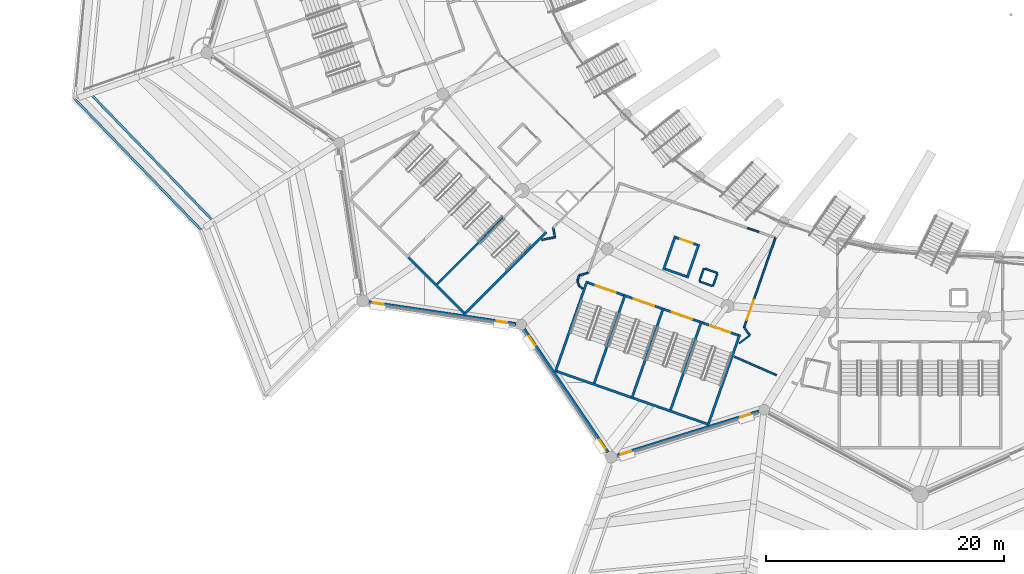
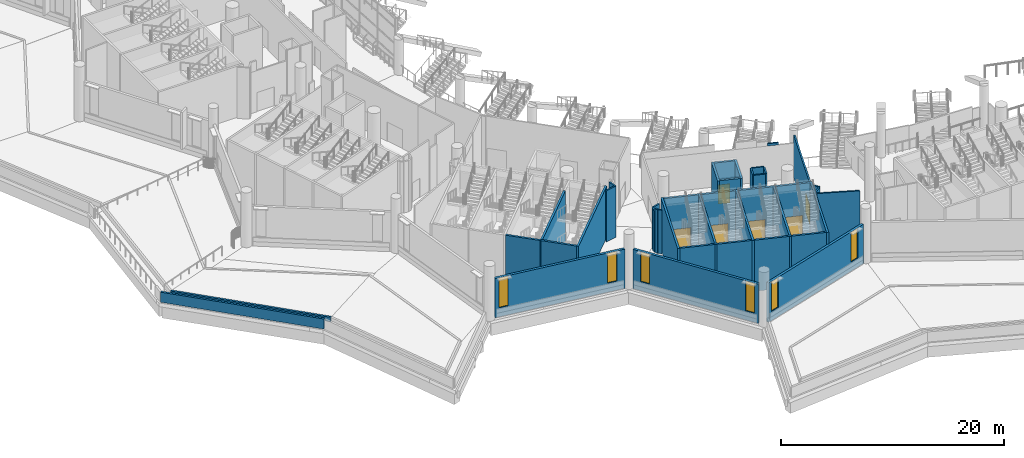
# One storey, part 41 of 173: 39 walls, 6 doors, 6 windows, 12 openings.
"""IFC4 building model written with IfcOpenShell, lengths in metres."""

from ifc_helpers import new_model, si_unit, direction, frame, frame_2d, origin, place, context, subcontext, project, spatial, rectangle, extrude, material, layer, layer_set, type_object, element, fill, save


model = new_model("IFC4")

# Units and contexts
model_context = context("Model", 3, precision=1e-05, world=origin(), true_north=direction((0.0, 1.0)))
body_context = subcontext(model_context, "Body", "Model", "MODEL_VIEW")
ifc_project = project(units=[si_unit("LENGTHUNIT", "METRE"), si_unit("AREAUNIT", "SQUARE_METRE"), si_unit("VOLUMEUNIT", "CUBIC_METRE"), si_unit("PLANEANGLEUNIT", "RADIAN"), si_unit("MASSUNIT", "GRAM", prefix="KILO")], contexts=[model_context])

# Site, building, storey
site_placement = place(None, origin())
site = spatial("IfcSite", under=ifc_project, at=site_placement, CompositionType="ELEMENT")
building_placement = place(site_placement, origin())
building = spatial("IfcBuilding", under=site, at=building_placement, Name="Meseta Stadium", CompositionType="ELEMENT")
storey_placement = place(building_placement, frame((0.0, 0.0, 18.0)))
storey = spatial("IfcBuildingStorey", under=building, at=storey_placement, Name="L03", CompositionType="ELEMENT", Elevation=18.0)

# Walls
ifc_material_1 = material(Name="Concrete C40/50", Category="concrete")
ifc_layer_1 = layer(ifc_material_1, 0.199951171875)
ifc_layer_set_1 = layer_set([ifc_layer_1], Name="Core divider wall 200")
wall_type_1 = type_object("IfcWallType", Name="Core divider wall 200", PredefinedType="SHEAR", material=ifc_layer_set_1)
wall_1_placement = place(storey_placement, frame((-79.092529296875, -87.90087890625, 0.0), z_axis=(0.0, 0.0, 1.0), x_axis=(0.707106781187, 0.707106781187, 0.0)))
element("IfcWall", 1, at=wall_1_placement, inside=storey, type_object=wall_type_1, Name="Core 21 L03 stair B divider wall", PredefinedType="SHEAR", context=body_context, shape_type="SweptSolid", body=[
    extrude(rectangle(XDim=8.099853515625, YDim=0.199951171875, at=frame_2d((4.0498046875, 0.0))), origin(), (0.0, 0.0, 1.0), 5.60009765625),
])
for number, where, z_axis, x_axis, name in (
    (2, (-65.789306640625, -96.260009765625, 0.0), (0.0, 0.0, 1.0), (0.330280610426, 0.943882788474, 0.0), "Core 22 L03 stair A divider wall"),
    (3, (-59.370849609375, -98.505859375, 0.0), (0.0, 0.0, 1.0), (0.330280610426, 0.943882788474, 0.0), "Core 22 L03 stair B divider wall"),
):
    element("IfcWall", number, at=place(storey_placement, frame(where, z_axis=z_axis, x_axis=x_axis)), inside=storey, type_object=wall_type_1, Name=name, PredefinedType="SHEAR", context=body_context, shape_type="SweptSolid", body=[
        extrude(rectangle(XDim=8.10009765625, YDim=0.199951171875, at=frame_2d((4.050048828125, 0.0))), origin(), (0.0, 0.0, 1.0), 5.60009765625),
    ])
ifc_material_2 = material(Name="Concrete C40/50", Category="concrete")
ifc_layer_2 = layer(ifc_material_2, 0.199951171875)
ifc_layer_set_2 = layer_set([ifc_layer_2], Name="Core shaft wall 200")
wall_type_2 = type_object("IfcWallType", Name="Core shaft wall 200", PredefinedType="SHEAR", material=ifc_layer_set_2)
wall_2_placement = place(storey_placement, frame((-76.6884765625, -90.30517578125, 0.0), z_axis=(0.0, 0.0, 1.0), x_axis=(0.707106781187, 0.707106781187, 0.0)))
element("IfcWall", 4, at=wall_2_placement, inside=storey, type_object=wall_type_2, Name="Core 21 L03 stair wall B-side", PredefinedType="SHEAR", context=body_context, shape_type="SweptSolid", body=[
    extrude(rectangle(XDim=9.800048828125, YDim=0.199951171875, at=frame_2d((4.89990234375, 0.0))), origin(), (0.0, 0.0, 1.0), 5.60009765625),
])
wall_3_placement = place(storey_placement, frame((-81.355224609375, -85.496826171875, 0.0), z_axis=(0.0, 0.0, 1.0), x_axis=(0.707088285305, -0.707125276584, 0.0)))
element("IfcWall", 5, at=wall_3_placement, inside=storey, type_object=wall_type_2, Name="Core 21 L03 stair B outer end wall", PredefinedType="SHEAR", context=body_context, shape_type="SweptSolid", body=[
    extrude(rectangle(XDim=6.599853515625, YDim=0.199951171875, at=frame_2d((3.2998046875, 0.0))), origin(), (0.0, 0.0, 1.0), 5.60009765625),
])
for number, where, z_axis, x_axis, name in (
    (6, (-68.998291015625, -95.136962890625, 0.0), (0.0, 0.0, 1.0), (0.330263153216, 0.943888896866, 0.0), "Core 22 L03 stair wall A-side"),
    (7, (-62.580078125, -97.3828125, 0.0), (0.0, 0.0, 1.0), (0.330290006891, 0.943879500438, 0.0), "Core 22 L03 stair wall shared"),
):
    element("IfcWall", number, at=place(storey_placement, frame(where, z_axis=z_axis, x_axis=x_axis)), inside=storey, type_object=wall_type_2, Name=name, PredefinedType="SHEAR", context=body_context, shape_type="SweptSolid", body=[
        extrude(rectangle(XDim=8.099853515625, YDim=0.199951171875, at=frame_2d((4.0498046875, 0.0))), origin(), (0.0, 0.0, 1.0), 5.60009765625),
    ])
wall_4_placement = place(storey_placement, frame((-56.16162109375, -99.62890625, 0.0), z_axis=(0.0, 0.0, 1.0), x_axis=(0.330280610426, 0.943882788474, 0.0)))
element("IfcWall", 8, at=wall_4_placement, inside=storey, type_object=wall_type_2, Name="Core 22 L03 stair wall B-side", PredefinedType="SHEAR", context=body_context, shape_type="SweptSolid", body=[
    extrude(rectangle(XDim=8.10009765625, YDim=0.199951171875, at=frame_2d((4.050048828125, 0.0))), origin(), (0.0, 0.0, 1.0), 5.60009765625),
])
for number, where, z_axis, x_axis, name in (
    (9, (-68.87109375, -95.07568359375, 0.0), (0.0, 0.0, 1.0), (0.943880844925, -0.330286164688, 0.0), "Core 22 L03 stair A outer end wall"),
    (10, (-62.45263671875, -97.321533203125, 0.0), (0.0, 0.0, 1.0), (0.943880844925, -0.330286164688, 0.0), "Core 22 L03 stair B outer end wall"),
):
    element("IfcWall", number, at=place(storey_placement, frame(where, z_axis=z_axis, x_axis=x_axis)), inside=storey, type_object=wall_type_2, Name=name, PredefinedType="SHEAR", context=body_context, shape_type="SweptSolid", body=[
        extrude(rectangle(XDim=6.60009765625, YDim=0.199951171875, at=frame_2d((3.300048828125, 0.0))), origin(), (0.0, 0.0, 1.0), 5.60009765625),
    ])

# Wall, opening, door
wall_5_placement = place(storey_placement, frame((-66.26171875, -87.618896484375, 0.0), z_axis=(0.0, 0.0, 1.0), x_axis=(0.943878576031, -0.330292648585, 0.0)))
wall_5 = element("IfcWall", 11, at=wall_5_placement, inside=storey, type_object=wall_type_2, Name="Core 22 L03 stair A1 inner end wall", PredefinedType="SHEAR", context=body_context, shape_type="SweptSolid", body=[
    extrude(rectangle(XDim=3.199951171875, YDim=0.199951171875, at=frame_2d((1.60009765625, 0.0))), origin(), (0.0, 0.0, 1.0), 5.60009765625),
])
opening_1_placement = place(wall_5_placement, frame((0.699951171875, 0.0, 0.0)))
opening_1 = element("IfcOpeningElement", 12, at=opening_1_placement, cuts=wall_5, Name="Opening D1351", PredefinedType="OPENING", context=body_context, shape_type="SweptSolid", body=[
    extrude(rectangle(XDim=1.800048828125, YDim=2.10009765625, at=frame_2d((0.89990234375, 1.050048828125))), frame((0.0, 0.10986328125, 0.0), z_axis=(0.0, -1.0, 0.0), x_axis=(1.0, 0.0, 0.0)), (0.0, 0.0, 1.0), 0.219970703125),
])
ifc_material_3 = material(Name="Steel", Category="steel")
door_type_1 = type_object("IfcDoorType", Name="Stair door 1800x2100", OperationType="DOUBLE_DOOR_SINGLE_SWING", PredefinedType="DOOR", material=ifc_material_3)
door_1_placement = place(opening_1_placement, origin())
door_1 = element("IfcDoor", 13, at=door_1_placement, inside=storey, type_object=door_type_1, Name="Stair A1 door 22 L03", OperationType="DOUBLE_DOOR_SINGLE_SWING", OverallHeight=2.10009765625, OverallWidth=1.800048828125, PredefinedType="DOOR", context=body_context, shape_type="SweptSolid", body=[
    extrude(rectangle(XDim=1.800048828125, YDim=2.10009765625, at=frame_2d((0.89990234375, 1.050048828125))), frame((0.0, 0.02490234375, 0.0), z_axis=(0.0, -1.0, 0.0), x_axis=(1.0, 0.0, 0.0)), (0.0, 0.0, 1.0), 0.050048828125),
])
fill(opening_1, door_1)

wall_6_placement = place(storey_placement, frame((-63.052490234375, -88.741943359375, 0.0), z_axis=(0.0, 0.0, 1.0), x_axis=(0.943878576031, -0.330292648585, 0.0)))
wall_6 = element("IfcWall", 14, at=wall_6_placement, inside=storey, type_object=wall_type_2, Name="Core 22 L03 stair A2 inner end wall", PredefinedType="SHEAR", context=body_context, shape_type="SweptSolid", body=[
    extrude(rectangle(XDim=3.199951171875, YDim=0.199951171875, at=frame_2d((1.60009765625, 0.0))), origin(), (0.0, 0.0, 1.0), 5.60009765625),
])
opening_2_placement = place(wall_6_placement, frame((0.699951171875, 0.0, 0.0)))
opening_2 = element("IfcOpeningElement", 15, at=opening_2_placement, cuts=wall_6, Name="Opening D1354", PredefinedType="OPENING", context=body_context, shape_type="SweptSolid", body=[
    extrude(rectangle(XDim=1.800048828125, YDim=2.10009765625, at=frame_2d((0.89990234375, 1.050048828125))), frame((0.0, 0.10986328125, 0.0), z_axis=(0.0, -1.0, 0.0), x_axis=(1.0, 0.0, 0.0)), (0.0, 0.0, 1.0), 0.219970703125),
])
door_2_placement = place(opening_2_placement, origin())
door_2 = element("IfcDoor", 16, at=door_2_placement, inside=storey, type_object=door_type_1, Name="Stair A2 door 22 L03", OperationType="DOUBLE_DOOR_SINGLE_SWING", OverallHeight=2.10009765625, OverallWidth=1.800048828125, PredefinedType="DOOR", context=body_context, shape_type="SweptSolid", body=[
    extrude(rectangle(XDim=1.800048828125, YDim=2.10009765625, at=frame_2d((0.89990234375, 1.050048828125))), frame((0.0, 0.02490234375, 0.0), z_axis=(0.0, -1.0, 0.0), x_axis=(1.0, 0.0, 0.0)), (0.0, 0.0, 1.0), 0.050048828125),
])
fill(opening_2, door_2)

wall_7_placement = place(storey_placement, frame((-59.843505859375, -89.864990234375, 0.0), z_axis=(0.0, 0.0, 1.0), x_axis=(0.943886898693, -0.330268863922, 0.0)))
wall_7 = element("IfcWall", 17, at=wall_7_placement, inside=storey, type_object=wall_type_2, Name="Core 22 L03 stair B1 inner end wall", PredefinedType="SHEAR", context=body_context, shape_type="SweptSolid", body=[
    extrude(rectangle(XDim=3.2001953125, YDim=0.199951171875, at=frame_2d((1.60009765625, 0.0))), origin(), (0.0, 0.0, 1.0), 5.60009765625),
])
opening_3_placement = place(wall_7_placement, frame((0.699951171875, 0.0, 0.0)))
opening_3 = element("IfcOpeningElement", 18, at=opening_3_placement, cuts=wall_7, Name="Opening D1358", PredefinedType="OPENING", context=body_context, shape_type="SweptSolid", body=[
    extrude(rectangle(XDim=1.800048828125, YDim=2.10009765625, at=frame_2d((0.89990234375, 1.050048828125))), frame((0.0, 0.10986328125, 0.0), z_axis=(0.0, -1.0, 0.0), x_axis=(1.0, 0.0, 0.0)), (0.0, 0.0, 1.0), 0.219970703125),
])
door_3_placement = place(opening_3_placement, origin())
door_3 = element("IfcDoor", 19, at=door_3_placement, inside=storey, type_object=door_type_1, Name="Stair B1 door 22 L03", OperationType="DOUBLE_DOOR_SINGLE_SWING", OverallHeight=2.10009765625, OverallWidth=1.800048828125, PredefinedType="DOOR", context=body_context, shape_type="SweptSolid", body=[
    extrude(rectangle(XDim=1.800048828125, YDim=2.10009765625, at=frame_2d((0.89990234375, 1.050048828125))), frame((0.0, 0.02490234375, 0.0), z_axis=(0.0, -1.0, 0.0), x_axis=(1.0, 0.0, 0.0)), (0.0, 0.0, 1.0), 0.050048828125),
])
fill(opening_3, door_3)

wall_8_placement = place(storey_placement, frame((-56.63427734375, -90.98779296875, 0.0), z_axis=(0.0, 0.0, 1.0), x_axis=(0.943886898693, -0.330268863922, 0.0)))
wall_8 = element("IfcWall", 20, at=wall_8_placement, inside=storey, type_object=wall_type_2, Name="Core 22 L03 stair B2 inner end wall", PredefinedType="SHEAR", context=body_context, shape_type="SweptSolid", body=[
    extrude(rectangle(XDim=3.2001953125, YDim=0.199951171875, at=frame_2d((1.60009765625, 0.0))), origin(), (0.0, 0.0, 1.0), 5.60009765625),
])
opening_4_placement = place(wall_8_placement, frame((0.699951171875, 0.0, 0.0)))
opening_4 = element("IfcOpeningElement", 21, at=opening_4_placement, cuts=wall_8, Name="Opening D1363", PredefinedType="OPENING", context=body_context, shape_type="SweptSolid", body=[
    extrude(rectangle(XDim=1.800048828125, YDim=2.10009765625, at=frame_2d((0.89990234375, 1.050048828125))), frame((0.0, 0.10986328125, 0.0), z_axis=(0.0, -1.0, 0.0), x_axis=(1.0, 0.0, 0.0)), (0.0, 0.0, 1.0), 0.219970703125),
])
door_4_placement = place(opening_4_placement, origin())
door_4 = element("IfcDoor", 22, at=door_4_placement, inside=storey, type_object=door_type_1, Name="Stair B2 door 22 L03", OperationType="DOUBLE_DOOR_SINGLE_SWING", OverallHeight=2.10009765625, OverallWidth=1.800048828125, PredefinedType="DOOR", context=body_context, shape_type="SweptSolid", body=[
    extrude(rectangle(XDim=1.800048828125, YDim=2.10009765625, at=frame_2d((0.89990234375, 1.050048828125))), frame((0.0, 0.02490234375, 0.0), z_axis=(0.0, -1.0, 0.0), x_axis=(1.0, 0.0, 0.0)), (0.0, 0.0, 1.0), 0.050048828125),
])
fill(opening_4, door_4)

# Walls
for number, where, z_axis, x_axis, name in (
    (23, (-59.896240234375, -86.53369140625, 0.0), (0.0, 0.0, 1.0), (0.330328674497, 0.943865968666, 0.0), "Core 22 L03 lift shaft wall left"),
    (24, (-57.9140625, -87.227294921875, 0.0), (0.0, 0.0, 1.0), (0.330328674497, 0.943865968666, 0.0), "Core 22 L03 lift shaft wall right"),
):
    element("IfcWall", number, at=place(storey_placement, frame(where, z_axis=z_axis, x_axis=x_axis)), inside=storey, type_object=wall_type_2, Name=name, PredefinedType="SHEAR", context=body_context, shape_type="SweptSolid", body=[
        extrude(rectangle(XDim=3.0, YDim=0.199951171875, at=frame_2d((1.5, 0.0))), origin(), (0.0, 0.0, 1.0), 4.60009765625),
    ])
wall_9_placement = place(storey_placement, frame((-59.768798828125, -86.472412109375, 0.0), z_axis=(0.0, 0.0, 1.0), x_axis=(0.943862362559, -0.330338978239, 0.0)))
element("IfcWall", 25, at=wall_9_placement, inside=storey, type_object=wall_type_2, Name="Core 22 L03 lift shaft back wall", PredefinedType="SHEAR", context=body_context, shape_type="SweptSolid", body=[
    extrude(rectangle(XDim=1.900146484375, YDim=0.199951171875, at=frame_2d((0.9501953125, 0.0))), origin(), (0.0, 0.0, 1.0), 4.60009765625),
])

# Wall, opening, door
wall_10_placement = place(storey_placement, frame((-58.843994140625, -83.82958984375, 0.0), z_axis=(0.0, 0.0, 1.0), x_axis=(0.943902418729, -0.330224505327, 0.0)))
wall_10 = element("IfcWall", 26, at=wall_10_placement, inside=storey, type_object=wall_type_2, Name="Core 22 L03 lift shaft front wall", PredefinedType="SHEAR", context=body_context, shape_type="SweptSolid", body=[
    extrude(rectangle(XDim=1.900146484375, YDim=0.199951171875, at=frame_2d((0.9501953125, 0.0))), origin(), (0.0, 0.0, 1.0), 4.60009765625),
])
opening_5_placement = place(wall_10_placement, frame((0.39990234375, 0.0, 0.0)))
opening_5 = element("IfcOpeningElement", 27, at=opening_5_placement, cuts=wall_10, Name="Opening LD124", PredefinedType="OPENING", context=body_context, shape_type="SweptSolid", body=[
    extrude(rectangle(XDim=1.10009765625, YDim=2.10009765625, at=frame_2d((0.550048828125, 1.050048828125))), frame((0.0, 0.10986328125, 0.0), z_axis=(0.0, -1.0, 0.0), x_axis=(1.0, 0.0, 0.0)), (0.0, 0.0, 1.0), 0.219970703125),
])
ifc_material_4 = material(Name="Steel", Category="steel")
door_type_2 = type_object("IfcDoorType", Name="Lift landing door 1100x2100", OperationType="SLIDING_TO_LEFT", PredefinedType="DOOR", material=ifc_material_4)
door_5_placement = place(opening_5_placement, origin())
door_5 = element("IfcDoor", 28, at=door_5_placement, inside=storey, type_object=door_type_2, Name="Lift landing door LD124", OperationType="SLIDING_TO_RIGHT", OverallHeight=2.10009765625, OverallWidth=1.10009765625, PredefinedType="DOOR", context=body_context, shape_type="SweptSolid", body=[
    extrude(rectangle(XDim=1.10009765625, YDim=2.10009765625, at=frame_2d((0.550048828125, 1.050048828125))), frame((0.0, 0.02490234375, 0.0), z_axis=(0.0, -1.0, 0.0), x_axis=(1.0, 0.0, 0.0)), (0.0, 0.0, 1.0), 0.050048828125),
])
fill(opening_5, door_5)

# Walls
ifc_material_5 = material(Name="Masonry blockwork", Category="masonry")
ifc_layer_3 = layer(ifc_material_5, 0.14990234375)
ifc_layer_set_3 = layer_set([ifc_layer_3], Name="Partition 150")
wall_type_3 = type_object("IfcWallType", Name="Partition 150", PredefinedType="PARTITIONING", material=ifc_layer_set_3)
wall_11_placement = place(storey_placement, frame((-53.927490234375, -93.849853515625, 0.0), z_axis=(0.0, 0.0, 1.0), x_axis=(0.915527241614, -0.402255975546, 0.0)))
element("IfcWall", 29, at=wall_11_placement, inside=storey, type_object=wall_type_3, Name="Partition L03 L03-cell21-1-0", PredefinedType="PARTITIONING", context=body_context, shape_type="SweptSolid", body=[
    extrude(rectangle(XDim=3.8486328125, YDim=0.14990234375, at=frame_2d((1.92431640625, 0.0))), origin(), (0.0, 0.0, 1.0), 5.60009765625),
])
wall_12_placement = place(storey_placement, frame((-70.133544921875, -84.018310546875, 0.0), z_axis=(0.0, 0.0, 1.0), x_axis=(0.982266484486, 0.187490142289, 0.0)))
element("IfcWall", 30, at=wall_12_placement, inside=storey, type_object=wall_type_3, Name="Stair vestibule wall L03 core 21", PredefinedType="PARTITIONING", context=body_context, shape_type="SweptSolid", body=[
    extrude(rectangle(XDim=1.127685546875, YDim=0.14990234375, at=frame_2d((0.56396484375, 0.0))), origin(), (0.0, 0.0, 1.0), 5.60009765625),
])
wall_13_placement = place(storey_placement, frame((-69.02587890625, -83.806884765625, 0.0), z_axis=(0.0, 0.0, 1.0), x_axis=(-0.171316329805, 0.985216075357, 0.0)))
element("IfcWall", 31, at=wall_13_placement, inside=storey, type_object=wall_type_3, Name="Stair vestibule wall L03 core 21", PredefinedType="PARTITIONING", context=body_context, shape_type="SweptSolid", body=[
    extrude(rectangle(XDim=0.829345703125, YDim=0.14990234375, at=frame_2d((0.41455078125, 0.0))), origin(), (0.0, 0.0, 1.0), 5.60009765625),
])
wall_14_placement = place(storey_placement, frame((-56.87451171875, -87.51171875, 0.0), z_axis=(0.0, 0.0, 1.0), x_axis=(0.943868506598, -0.330321422636, 0.0)))
element("IfcWall", 32, at=wall_14_placement, inside=storey, type_object=wall_type_3, Name="Pressurisation shaft wall L03 core 22", PredefinedType="PARTITIONING", context=body_context, shape_type="SweptSolid", body=[
    extrude(rectangle(XDim=1.125, YDim=0.14990234375, at=frame_2d((0.5625, 0.0))), origin(), (0.0, 0.0, 1.0), 4.774169921875),
])
wall_15_placement = place(storey_placement, frame((-55.741943359375, -87.907958984375, 0.0), z_axis=(0.0, 0.0, 1.0), x_axis=(0.330229022821, 0.94390083827, 0.0)))
element("IfcWall", 33, at=wall_15_placement, inside=storey, type_object=wall_type_3, Name="Pressurisation shaft wall L03 core 22", PredefinedType="PARTITIONING", context=body_context, shape_type="SweptSolid", body=[
    extrude(rectangle(XDim=1.074951171875, YDim=0.14990234375, at=frame_2d((0.53759765625, 0.0))), origin(), (0.0, 0.0, 1.0), 4.774169921875),
])
wall_16_placement = place(storey_placement, frame((-55.362060546875, -86.822509765625, 0.0), z_axis=(0.0, 0.0, 1.0), x_axis=(-0.94389218008, 0.330253769674, 0.0)))
element("IfcWall", 34, at=wall_16_placement, inside=storey, type_object=wall_type_3, Name="Pressurisation shaft wall L03 core 22", PredefinedType="PARTITIONING", context=body_context, shape_type="SweptSolid", body=[
    extrude(rectangle(XDim=1.125244140625, YDim=0.14990234375, at=frame_2d((0.5625, 0.0))), origin(), (0.0, 0.0, 1.0), 4.774169921875),
])
wall_17_placement = place(storey_placement, frame((-56.49462890625, -86.42626953125, 0.0), z_axis=(0.0, 0.0, 1.0), x_axis=(-0.330431350225, -0.943830028548, 0.0)))
element("IfcWall", 35, at=wall_17_placement, inside=storey, type_object=wall_type_3, Name="Pressurisation shaft wall L03 core 22", PredefinedType="PARTITIONING", context=body_context, shape_type="SweptSolid", body=[
    extrude(rectangle(XDim=1.074951171875, YDim=0.14990234375, at=frame_2d((0.53759765625, 0.0))), origin(), (0.0, 0.0, 1.0), 4.774169921875),
])
wall_18_placement = place(storey_placement, frame((-66.99853515625, -87.010009765625, 0.0), z_axis=(0.0, 0.0, 1.0), x_axis=(-0.293078832254, -0.956088279441, 0.0)))
element("IfcWall", 36, at=wall_18_placement, inside=storey, type_object=wall_type_3, Name="Stair vestibule wall L03 core 22", PredefinedType="PARTITIONING", context=body_context, shape_type="SweptSolid", body=[
    extrude(rectangle(XDim=0.374755859375, YDim=0.14990234375, at=frame_2d((0.1875, 0.0))), origin(), (0.0, 0.0, 1.0), 4.5),
])
wall_19_placement = place(storey_placement, frame((-67.1083984375, -87.368408203125, 0.0), z_axis=(0.0, 0.0, 1.0), x_axis=(0.056285305436, -0.998414725649, 0.0)))
element("IfcWall", 37, at=wall_19_placement, inside=storey, type_object=wall_type_3, Name="Stair vestibule wall L03 core 22", PredefinedType="PARTITIONING", context=body_context, shape_type="SweptSolid", body=[
    extrude(rectangle(XDim=0.281982421875, YDim=0.14990234375, at=frame_2d((0.14111328125, 0.0))), origin(), (0.0, 0.0, 1.0), 4.5),
])
wall_20_placement = place(storey_placement, frame((-67.092529296875, -87.64990234375, 0.0), z_axis=(0.0, 0.0, 1.0), x_axis=(0.43378984255, -0.901014080079, 0.0)))
element("IfcWall", 38, at=wall_20_placement, inside=storey, type_object=wall_type_3, Name="Stair vestibule wall L03 core 22", PredefinedType="PARTITIONING", context=body_context, shape_type="SweptSolid", body=[
    extrude(rectangle(XDim=0.28466796875, YDim=0.14990234375, at=frame_2d((0.142333984375, 0.0))), origin(), (0.0, 0.0, 1.0), 4.774169921875),
])
wall_21_placement = place(storey_placement, frame((-66.968994140625, -87.906494140625, 0.0), z_axis=(0.0, 0.0, 1.0), x_axis=(0.770463975756, -0.63748353866, 0.0)))
element("IfcWall", 39, at=wall_21_placement, inside=storey, type_object=wall_type_3, Name="Stair vestibule wall L03 core 22", PredefinedType="PARTITIONING", context=body_context, shape_type="SweptSolid", body=[
    extrude(rectangle(XDim=0.356201171875, YDim=0.14990234375, at=frame_2d((0.17822265625, 0.0))), origin(), (0.0, 0.0, 1.0), 4.774169921875),
])
wall_22_placement = place(storey_placement, frame((-53.544921875, -92.725341796875, 0.0), z_axis=(0.0, 0.0, 1.0), x_axis=(0.803518845317, 0.595279316977, 0.0)))
element("IfcWall", 40, at=wall_22_placement, inside=storey, type_object=wall_type_3, Name="Stair vestibule wall L03 core 22", PredefinedType="PARTITIONING", context=body_context, shape_type="SweptSolid", body=[
    extrude(rectangle(XDim=1.1279296875, YDim=0.14990234375, at=frame_2d((0.56396484375, 0.0))), origin(), (0.0, 0.0, 1.0), 4.774169921875),
])
wall_23_placement = place(storey_placement, frame((-52.638671875, -92.053955078125, 0.0), z_axis=(0.0, 0.0, 1.0), x_axis=(-0.58190622455, 0.813255891974, 0.0)))
element("IfcWall", 41, at=wall_23_placement, inside=storey, type_object=wall_type_3, Name="Stair vestibule wall L03 core 22", PredefinedType="PARTITIONING", context=body_context, shape_type="SweptSolid", body=[
    extrude(rectangle(XDim=0.829345703125, YDim=0.14990234375, at=frame_2d((0.41455078125, 0.0))), origin(), (0.0, 0.0, 1.0), 4.774169921875),
])

# Wall, opening, door
wall_24_placement = place(storey_placement, frame((-53.121337890625, -91.37939453125, 0.0), z_axis=(0.0, 0.0, 1.0), x_axis=(0.330279569596, 0.943883152677, 0.0)))
wall_24 = element("IfcWall", 42, at=wall_24_placement, inside=storey, type_object=wall_type_3, Name="Stair vestibule wall L03 core 22", PredefinedType="PARTITIONING", context=body_context, shape_type="SweptSolid", body=[
    extrude(rectangle(XDim=7.98095703125, YDim=0.14990234375, at=frame_2d((3.990478515625, 0.0))), origin(), (0.0, 0.0, 1.0), 4.699951171875),
])
opening_6_placement = place(wall_24_placement, frame((0.64990234375, 0.0, 0.0)))
opening_6 = element("IfcOpeningElement", 43, at=opening_6_placement, cuts=wall_24, Name="Opening D1364", PredefinedType="OPENING", context=body_context, shape_type="SweptSolid", body=[
    extrude(rectangle(XDim=1.800048828125, YDim=2.10009765625, at=frame_2d((0.89990234375, 1.050048828125))), frame((0.0, 0.0849609375, 0.0), z_axis=(0.0, -1.0, 0.0), x_axis=(1.0, 0.0, 0.0)), (0.0, 0.0, 1.0), 0.169921875),
])
ifc_material_6 = material(Name="Steel", Category="steel")
door_type_3 = type_object("IfcDoorType", Name="Fire double door 1800x2100 EI2 60", OperationType="DOUBLE_DOOR_SINGLE_SWING", PredefinedType="DOOR", material=ifc_material_6)
door_6_placement = place(opening_6_placement, origin())
door_6 = element("IfcDoor", 44, at=door_6_placement, inside=storey, type_object=door_type_3, Name="Stair vestibule door L03 core 22", OperationType="DOUBLE_DOOR_SINGLE_SWING", OverallHeight=2.10009765625, OverallWidth=1.800048828125, PredefinedType="DOOR", context=body_context, shape_type="SweptSolid", body=[
    extrude(rectangle(XDim=1.800048828125, YDim=2.10009765625, at=frame_2d((0.89990234375, 1.050048828125))), frame((0.0, 0.02490234375, 0.0), z_axis=(0.0, -1.0, 0.0), x_axis=(1.0, 0.0, 0.0)), (0.0, 0.0, 1.0), 0.050048828125),
])
fill(opening_6, door_6)

# Walls
wall_25_placement = place(storey_placement, frame((-51.89013671875, -83.354736328125, 3.8544921875), z_axis=(0.0, 0.0, 1.0), x_axis=(-0.943904381587, 0.330218894705, 0.0)))
element("IfcWall", 45, at=wall_25_placement, inside=storey, type_object=wall_type_3, Name="Stair vestibule wall L03 core 22", PredefinedType="PARTITIONING", context=body_context, shape_type="SweptSolid", body=[
    extrude(rectangle(XDim=0.9921875, YDim=0.14990234375, at=frame_2d((0.49609375, 0.0))), origin(), (0.0, 0.0, 1.0), 0.25244140625),
])
wall_26_placement = place(storey_placement, frame((-66.231689453125, -86.791748046875, 0.0), z_axis=(0.0, 0.0, 1.0), x_axis=(-0.962031488022, -0.27293848401, 0.0)))
element("IfcWall", 46, at=wall_26_placement, inside=storey, type_object=wall_type_3, Name="Stair vestibule wall L03 core 22", PredefinedType="PARTITIONING", context=body_context, shape_type="SweptSolid", body=[
    extrude(rectangle(XDim=0.796142578125, YDim=0.14990234375, at=frame_2d((0.39794921875, 0.0))), origin(), (0.0, 0.0, 1.0), 4.5),
])
ifc_material_7 = material(Name="Precast concrete C40/50", Category="concrete")
ifc_layer_4 = layer(ifc_material_7, 0.199951171875)
ifc_layer_set_4 = layer_set([ifc_layer_4], Name="Planter kerb 200")
wall_type_4 = type_object("IfcWallType", Name="Planter kerb 200", PredefinedType="USERDEFINED", material=ifc_layer_set_4)
wall_27_placement = place(storey_placement, frame((-97.7158203125, -82.48095703125, 0.0), z_axis=(0.0, 0.0, 1.0), x_axis=(-0.694474391977, 0.719517420837, 0.0)))
element("IfcWall", 47, at=wall_27_placement, inside=storey, type_object=wall_type_4, Name="Planter kerb 5.1.14", ObjectType="PLANTER", PredefinedType="USERDEFINED", context=body_context, shape_type="SweptSolid", body=[
    extrude(rectangle(XDim=14.945068359375, YDim=0.199951171875, at=frame_2d((7.47265625, 0.0))), origin(), (0.0, 0.0, 1.0), 0.5),
])

# Wall, openings, windows
ifc_material_8 = material(Name="White precast concrete C40/50", Category="concrete")
ifc_layer_5 = layer(ifc_material_8, 0.25)
ifc_layer_set_5 = layer_set([ifc_layer_5], Name="Pleated panel wall 250")
wall_type_5 = type_object("IfcWallType", Name="Pleated panel wall 250", PredefinedType="SOLIDWALL", material=ifc_layer_set_5)
wall_28_placement = place(storey_placement, frame((-72.30126953125, -91.084716796875, 0.0), z_axis=(0.0, 0.0, 1.0), x_axis=(-0.989159318747, 0.14684632149, 0.0)))
wall_28 = element("IfcWall", 48, at=wall_28_placement, inside=storey, type_object=wall_type_5, Name="Pleated facade panel L03 F40", PredefinedType="SOLIDWALL", context=body_context, shape_type="SweptSolid", body=[
    extrude(rectangle(XDim=12.51416015625, YDim=0.25, at=frame_2d((6.257080078125, 0.0))), origin(), (0.0, 0.0, 1.0), 4.300048828125),
])
opening_7_placement = place(wall_28_placement, frame((0.75048828125, 0.0, 1.0)))
opening_7 = element("IfcOpeningElement", 49, at=opening_7_placement, cuts=wall_28, Name="Opening W083", PredefinedType="OPENING", context=body_context, shape_type="SweptSolid", body=[
    extrude(rectangle(XDim=0.89990234375, YDim=3.25, at=frame_2d((0.449951171875, 1.625))), frame((0.0, 0.135009765625, 0.0), z_axis=(0.0, -1.0, 0.0), x_axis=(1.0, 0.0, 0.0)), (0.0, 0.0, 1.0), 0.27001953125),
])
opening_8_placement = place(wall_28_placement, frame((11.25048828125, 0.0, 1.0)))
opening_8 = element("IfcOpeningElement", 50, at=opening_8_placement, cuts=wall_28, Name="Opening W078", PredefinedType="OPENING", context=body_context, shape_type="SweptSolid", body=[
    extrude(rectangle(XDim=0.89990234375, YDim=3.25, at=frame_2d((0.449951171875, 1.625))), frame((0.0, 0.135009765625, 0.0), z_axis=(0.0, -1.0, 0.0), x_axis=(1.0, 0.0, 0.0)), (0.0, 0.0, 1.0), 0.27001953125),
])
ifc_material_9 = material(Name="Aluminium", Category="aluminium")
window_type = type_object("IfcWindowType", Name="Slot window 900x3250", PartitioningType="SINGLE_PANEL", PredefinedType="WINDOW", material=ifc_material_9)
window_1_placement = place(opening_7_placement, origin())
window_1 = element("IfcWindow", 51, at=window_1_placement, inside=storey, type_object=window_type, Name="Slot window L03 F40.1", OverallHeight=3.25, OverallWidth=0.89990234375, PartitioningType="SINGLE_PANEL", PredefinedType="WINDOW", context=body_context, shape_type="SweptSolid", body=[
    extrude(rectangle(XDim=0.89990234375, YDim=3.25, at=frame_2d((0.449951171875, 1.625))), frame((0.0, 0.030029296875, 0.0), z_axis=(0.0, -1.0, 0.0), x_axis=(1.0, 0.0, 0.0)), (0.0, 0.0, 1.0), 0.06005859375),
])
fill(opening_7, window_1)
window_2_placement = place(opening_8_placement, origin())
window_2 = element("IfcWindow", 52, at=window_2_placement, inside=storey, type_object=window_type, Name="Slot window L03 F40.6", OverallHeight=3.25, OverallWidth=0.89990234375, PartitioningType="SINGLE_PANEL", PredefinedType="WINDOW", context=body_context, shape_type="SweptSolid", body=[
    extrude(rectangle(XDim=0.89990234375, YDim=3.25, at=frame_2d((0.449951171875, 1.625))), frame((0.0, 0.030029296875, 0.0), z_axis=(0.0, -1.0, 0.0), x_axis=(1.0, 0.0, 0.0)), (0.0, 0.0, 1.0), 0.06005859375),
])
fill(opening_8, window_2)

wall_29_placement = place(storey_placement, frame((-64.578125, -101.87744140625, 0.0), z_axis=(0.0, 0.0, 1.0), x_axis=(-0.561493784496, 0.827480954447, 0.0)))
wall_29 = element("IfcWall", 53, at=wall_29_placement, inside=storey, type_object=wall_type_5, Name="Pleated facade panel L03 F41", PredefinedType="SOLIDWALL", context=body_context, shape_type="SweptSolid", body=[
    extrude(rectangle(XDim=12.51318359375, YDim=0.25, at=frame_2d((6.256591796875, 0.0))), origin(), (0.0, 0.0, 1.0), 4.300048828125),
])
opening_9_placement = place(wall_29_placement, frame((10.863037109375, 0.0, 1.0)))
opening_9 = element("IfcOpeningElement", 54, at=opening_9_placement, cuts=wall_29, Name="Opening W084", PredefinedType="OPENING", context=body_context, shape_type="SweptSolid", body=[
    extrude(rectangle(XDim=0.89990234375, YDim=3.25, at=frame_2d((0.449951171875, 1.625))), frame((0.0, 0.135009765625, 0.0), z_axis=(0.0, -1.0, 0.0), x_axis=(1.0, 0.0, 0.0)), (0.0, 0.0, 1.0), 0.27001953125),
])
opening_10_placement = place(wall_29_placement, frame((0.363037109375, 0.0, 1.0)))
opening_10 = element("IfcOpeningElement", 55, at=opening_10_placement, cuts=wall_29, Name="Opening W085", PredefinedType="OPENING", context=body_context, shape_type="SweptSolid", body=[
    extrude(rectangle(XDim=0.89990234375, YDim=3.25, at=frame_2d((0.449951171875, 1.625))), frame((0.0, 0.135009765625, 0.0), z_axis=(0.0, -1.0, 0.0), x_axis=(1.0, 0.0, 0.0)), (0.0, 0.0, 1.0), 0.27001953125),
])
window_3_placement = place(opening_9_placement, origin())
window_3 = element("IfcWindow", 56, at=window_3_placement, inside=storey, type_object=window_type, Name="Slot window L03 F41.1", OverallHeight=3.25, OverallWidth=0.89990234375, PartitioningType="SINGLE_PANEL", PredefinedType="WINDOW", context=body_context, shape_type="SweptSolid", body=[
    extrude(rectangle(XDim=0.89990234375, YDim=3.25, at=frame_2d((0.449951171875, 1.625))), frame((0.0, 0.030029296875, 0.0), z_axis=(0.0, -1.0, 0.0), x_axis=(1.0, 0.0, 0.0)), (0.0, 0.0, 1.0), 0.06005859375),
])
fill(opening_9, window_3)
window_4_placement = place(opening_10_placement, origin())
window_4 = element("IfcWindow", 57, at=window_4_placement, inside=storey, type_object=window_type, Name="Slot window L03 F41.6", OverallHeight=3.25, OverallWidth=0.89990234375, PartitioningType="SINGLE_PANEL", PredefinedType="WINDOW", context=body_context, shape_type="SweptSolid", body=[
    extrude(rectangle(XDim=0.89990234375, YDim=3.25, at=frame_2d((0.449951171875, 1.625))), frame((0.0, 0.030029296875, 0.0), z_axis=(0.0, -1.0, 0.0), x_axis=(1.0, 0.0, 0.0)), (0.0, 0.0, 1.0), 0.06005859375),
])
fill(opening_10, window_4)

wall_30_placement = place(storey_placement, frame((-51.87109375, -98.427978515625, 0.0), z_axis=(0.0, 0.0, 1.0), x_axis=(-0.954916036354, -0.29687600697, 0.0)))
wall_30 = element("IfcWall", 58, at=wall_30_placement, inside=storey, type_object=wall_type_5, Name="Pleated facade panel L03 F42", PredefinedType="SOLIDWALL", context=body_context, shape_type="SweptSolid", body=[
    extrude(rectangle(XDim=12.51318359375, YDim=0.25, at=frame_2d((6.256591796875, 0.0))), origin(), (0.0, 0.0, 1.0), 4.300048828125),
])
opening_11_placement = place(wall_30_placement, frame((0.750244140625, 0.0, 1.0)))
opening_11 = element("IfcOpeningElement", 59, at=opening_11_placement, cuts=wall_30, Name="Opening W089", PredefinedType="OPENING", context=body_context, shape_type="SweptSolid", body=[
    extrude(rectangle(XDim=0.89990234375, YDim=3.25, at=frame_2d((0.449951171875, 1.625))), frame((0.0, 0.135009765625, 0.0), z_axis=(0.0, -1.0, 0.0), x_axis=(1.0, 0.0, 0.0)), (0.0, 0.0, 1.0), 0.27001953125),
])
opening_12_placement = place(wall_30_placement, frame((11.250244140625, 0.0, 1.0)))
opening_12 = element("IfcOpeningElement", 60, at=opening_12_placement, cuts=wall_30, Name="Opening W087", PredefinedType="OPENING", context=body_context, shape_type="SweptSolid", body=[
    extrude(rectangle(XDim=0.89990234375, YDim=3.25, at=frame_2d((0.449951171875, 1.625))), frame((0.0, 0.135009765625, 0.0), z_axis=(0.0, -1.0, 0.0), x_axis=(1.0, 0.0, 0.0)), (0.0, 0.0, 1.0), 0.27001953125),
])
window_5_placement = place(opening_11_placement, origin())
window_5 = element("IfcWindow", 61, at=window_5_placement, inside=storey, type_object=window_type, Name="Slot window L03 F42.1", OverallHeight=3.25, OverallWidth=0.89990234375, PartitioningType="SINGLE_PANEL", PredefinedType="WINDOW", context=body_context, shape_type="SweptSolid", body=[
    extrude(rectangle(XDim=0.89990234375, YDim=3.25, at=frame_2d((0.449951171875, 1.625))), frame((0.0, 0.030029296875, 0.0), z_axis=(0.0, -1.0, 0.0), x_axis=(1.0, 0.0, 0.0)), (0.0, 0.0, 1.0), 0.06005859375),
])
fill(opening_11, window_5)
window_6_placement = place(opening_12_placement, origin())
window_6 = element("IfcWindow", 62, at=window_6_placement, inside=storey, type_object=window_type, Name="Slot window L03 F42.6", OverallHeight=3.25, OverallWidth=0.89990234375, PartitioningType="SINGLE_PANEL", PredefinedType="WINDOW", context=body_context, shape_type="SweptSolid", body=[
    extrude(rectangle(XDim=0.89990234375, YDim=3.25, at=frame_2d((0.449951171875, 1.625))), frame((0.0, 0.030029296875, 0.0), z_axis=(0.0, -1.0, 0.0), x_axis=(1.0, 0.0, 0.0)), (0.0, 0.0, 1.0), 0.06005859375),
])
fill(opening_12, window_6)

# Wall
ifc_material_10 = material(Name="Concrete C40/50", Category="concrete")
ifc_layer_6 = layer(ifc_material_10, 0.199951171875)
ifc_layer_set_6 = layer_set([ifc_layer_6], Name="Roof parapet 200")
wall_type_6 = type_object("IfcWallType", Name="Roof parapet 200", PredefinedType="PARAPET", material=ifc_layer_set_6)
wall_31_placement = place(storey_placement, frame((-98.7900390625, -83.167724609375, 0.0), z_axis=(0.0, 0.0, 1.0), x_axis=(-0.694491774932, 0.719500642495, 0.0)))
element("IfcWall", 63, at=wall_31_placement, inside=storey, type_object=wall_type_6, Name="Roof parapet 5.36.1", PredefinedType="PARAPET", context=body_context, shape_type="SweptSolid", body=[
    extrude(rectangle(XDim=15.26806640625, YDim=0.199951171875, at=frame_2d((7.634033203125, 0.0))), origin(), (0.0, 0.0, 1.0), 1.10009765625),
])

save(model, "model.ifc")
